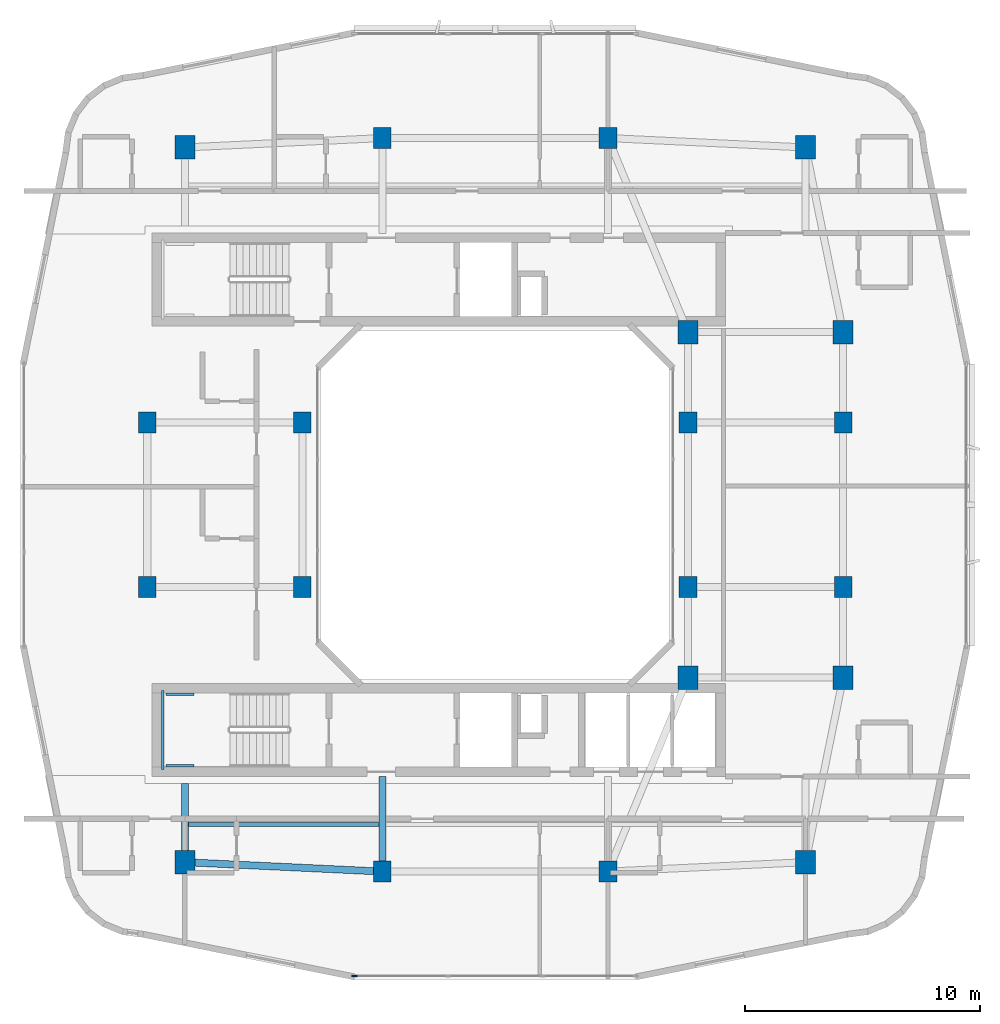
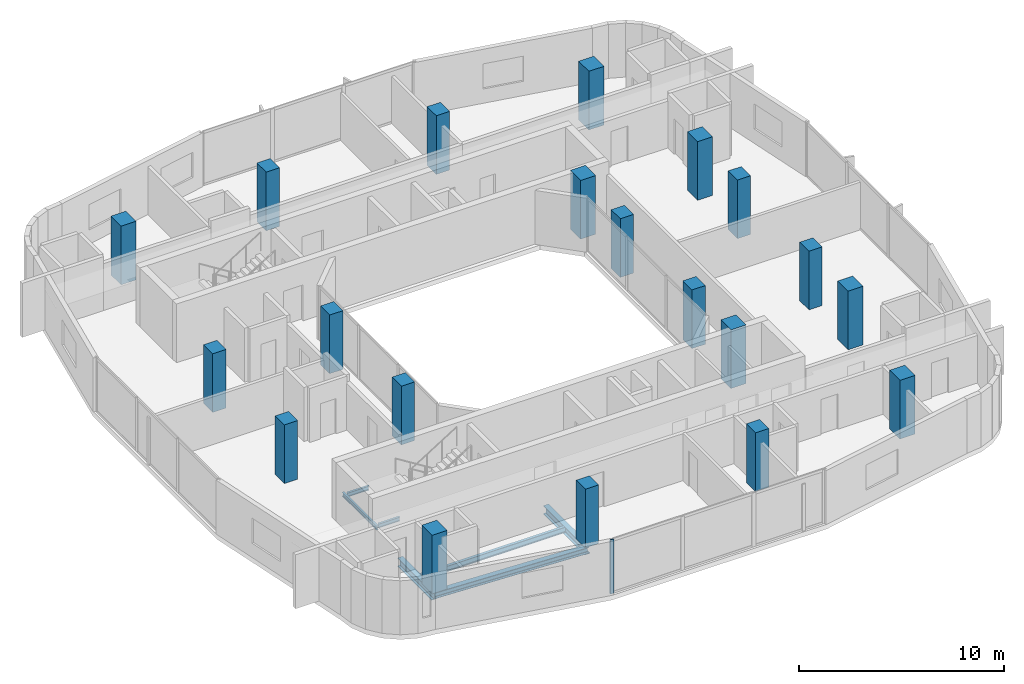
# One storey, part 1 of 14: 20 columns, 7 beams, 1 member, 1 element without a shape of its own.
"""IFC4 building model written with IfcOpenShell, lengths in metres."""

from ifc_helpers import new_model, si_unit, derived_unit, direction, frame, origin, origin_2d, place, context, subcontext, project, spatial, rectangle, i_section, extrude, material, layer, layer_set, material_profile, profile_set, type_object, element, aggregate, save


model = new_model("IFC4")

# Units and contexts
model_context = context("Model", 3, precision=1e-05, world=origin(), true_north=direction((0.0, 1.0)))
body_context = subcontext(model_context, "Body", "Model", "MODEL_VIEW")
ifc_project = project(units=[si_unit("LENGTHUNIT", "METRE"), si_unit("AREAUNIT", "SQUARE_METRE"), si_unit("VOLUMEUNIT", "CUBIC_METRE"), si_unit("PLANEANGLEUNIT", "RADIAN"), si_unit("MASSUNIT", "GRAM", prefix="KILO"), derived_unit("THERMALTRANSMITTANCEUNIT", [(si_unit("POWERUNIT", "WATT"), 1), (si_unit("LENGTHUNIT", "METRE"), -2), (si_unit("THERMODYNAMICTEMPERATUREUNIT", "KELVIN"), -1)])], contexts=[model_context])

# Site, building, storey
site_placement = place(None, origin())
site = spatial("IfcSite", under=ifc_project, at=site_placement, CompositionType="ELEMENT")
building_placement = place(site_placement, origin())
building = spatial("IfcBuilding", under=site, at=building_placement, Name="Kivonza Crest Hotel", CompositionType="ELEMENT")
storey_placement = place(building_placement, frame((0.0, 0.0, 141.5)))
storey = spatial("IfcBuildingStorey", under=building, at=storey_placement, Name="L38", CompositionType="ELEMENT", Elevation=141.5)

# Columns
ifc_material_1 = material(Name="Concrete C50/60", Category="concrete")
ifc_material_profile_1 = material_profile(ifc_material_1, rectangle(XDim=0.85009765625, YDim=1.0, at=origin_2d()), Name="RC 1000x850")
ifc_profile_set_1 = profile_set([ifc_material_profile_1], Name="Concrete C50/60")
column_type_1 = type_object("IfcColumnType", Name="CL-RC-1000x850", PredefinedType="COLUMN", material=ifc_profile_set_1)
for number, where, z_axis, x_axis, name in (
    (1, (7.800048828125, 9.800048828125, 0.0), (0.0, 0.0, 1.0), (1.0, 0.0, 0.0), "Tower T1 L38 column SW"),
    (2, (34.199951171875, 9.800048828125, 0.0), (0.0, 0.0, 1.0), (1.0, 0.0, 0.0), "Tower T1 L38 column SE"),
    (3, (34.199951171875, 40.199951171875, 0.0), (0.0, 0.0, 1.0), (1.0, 0.0, 0.0), "Tower T1 L38 column NE"),
    (4, (7.800048828125, 40.199951171875, 0.0), (0.0, 0.0, 1.0), (1.0, 0.0, 0.0), "Tower T1 L38 column NW"),
    (5, (35.800048828125, 17.64990234375, 0.0), (0.0, 0.0, 1.0), (1.0, 0.0, 0.0), "Tower T1 L38 column PSE"),
    (6, (35.800048828125, 32.35009765625, 0.0), (0.0, 0.0, 1.0), (1.0, 0.0, 0.0), "Tower T1 L38 column PNE"),
    (7, (29.199951171875, 17.64990234375, 0.0), (0.0, 0.0, 1.0), (1.0, 0.0, 0.0), "Tower T1 L38 column TSE"),
    (8, (29.199951171875, 32.35009765625, 0.0), (0.0, 0.0, 1.0), (1.0, 0.0, 0.0), "Tower T1 L38 column TNE"),
):
    element("IfcColumn", number, at=place(storey_placement, frame(where, z_axis=z_axis, x_axis=x_axis)), inside=storey, type_object=column_type_1, Name=name, PredefinedType="COLUMN", context=body_context, shape_type="SweptSolid", body=[
        extrude(rectangle(XDim=0.85009765625, YDim=1.0, at=origin_2d()), origin(), (0.0, 0.0, 1.0), 3.5),
    ])
ifc_material_profile_2 = material_profile(ifc_material_1, rectangle(XDim=0.75, YDim=0.89990234375, at=origin_2d()), Name="RC 900x750")
ifc_profile_set_2 = profile_set([ifc_material_profile_2], Name="Concrete C50/60")
column_type_2 = type_object("IfcColumnType", Name="CL-RC-900x750", PredefinedType="COLUMN", material=ifc_profile_set_2)
for number, where, z_axis, x_axis, name in (
    (9, (16.199951171875, 9.39990234375, 0.0), (0.0, 0.0, 1.0), (1.0, 0.0, 0.0), "Tower T1 L38 column S1"),
    (10, (25.800048828125, 9.39990234375, 0.0), (0.0, 0.0, 1.0), (1.0, 0.0, 0.0), "Tower T1 L38 column S2"),
    (11, (16.199951171875, 40.60009765625, 0.0), (0.0, 0.0, 1.0), (1.0, 0.0, 0.0), "Tower T1 L38 column N1"),
    (12, (25.800048828125, 40.60009765625, 0.0), (0.0, 0.0, 1.0), (1.0, 0.0, 0.0), "Tower T1 L38 column N2"),
    (13, (6.199951171875, 21.5, 0.0), (0.0, 0.0, 1.0), (1.0, 0.0, 0.0), "Tower T1 L38 column W1"),
    (14, (6.199951171875, 28.5, 0.0), (0.0, 0.0, 1.0), (1.0, 0.0, 0.0), "Tower T1 L38 column W2"),
    (15, (35.800048828125, 21.5, 0.0), (0.0, 0.0, 1.0), (1.0, 0.0, 0.0), "Tower T1 L38 column E1"),
    (16, (35.800048828125, 28.5, 0.0), (0.0, 0.0, 1.0), (1.0, 0.0, 0.0), "Tower T1 L38 column E2"),
    (17, (12.800048828125, 21.5, 0.0), (0.0, 0.0, 1.0), (1.0, 0.0, 0.0), "Tower T1 L38 column WL1"),
    (18, (12.800048828125, 28.5, 0.0), (0.0, 0.0, 1.0), (1.0, 0.0, 0.0), "Tower T1 L38 column WL2"),
    (19, (29.199951171875, 21.5, 0.0), (0.0, 0.0, 1.0), (1.0, 0.0, 0.0), "Tower T1 L38 column WR1"),
    (20, (29.199951171875, 28.5, 0.0), (0.0, 0.0, 1.0), (1.0, 0.0, 0.0), "Tower T1 L38 column WR2"),
):
    element("IfcColumn", number, at=place(storey_placement, frame(where, z_axis=z_axis, x_axis=x_axis)), inside=storey, type_object=column_type_2, Name=name, PredefinedType="COLUMN", context=body_context, shape_type="SweptSolid", body=[
        extrude(rectangle(XDim=0.75, YDim=0.89990234375, at=origin_2d()), origin(), (0.0, 0.0, 1.0), 3.5),
    ])

# Beams
ifc_material_2 = material(Name="Steel S355", Category="steel")
ifc_material_profile_3 = material_profile(ifc_material_2, i_section(OverallWidth=0.300048828125, OverallDepth=0.360107421875, WebThickness=0.012451171875, FlangeThickness=0.0224609375, FilletRadius=0.027099609375, at=origin_2d()), Name="HEB 360")
ifc_profile_set_3 = profile_set([ifc_material_profile_3], Name="Steel S355")
beam_type_1 = type_object("IfcBeamType", Name="BM-HEB360", PredefinedType="SPANDREL", material=ifc_profile_set_3)
beam_1_placement = place(storey_placement, frame((7.800048828125, 9.800048828125, -0.4599609375), z_axis=(0.998867283688, -0.047583080799, 0.0), x_axis=(0.047583080799, 0.998867283688, 0.0)))
element("IfcBeam", 21, at=beam_1_placement, inside=storey, type_object=beam_type_1, Name="Tower T1 L38 perimeter spandrel SW-S1", PredefinedType="SPANDREL", context=body_context, shape_type="SweptSolid", body=[
    extrude(i_section(OverallWidth=0.300048828125, OverallDepth=0.360107421875, WebThickness=0.012451171875, FlangeThickness=0.0224609375, FilletRadius=0.027099609375, at=origin_2d()), origin(), (0.0, 0.0, 1.0), 8.409423828125),
])
ifc_material_profile_4 = material_profile(ifc_material_2, i_section(OverallWidth=0.300048828125, OverallDepth=0.5, WebThickness=0.014404296875, FlangeThickness=0.028076171875, FilletRadius=0.027099609375, at=origin_2d()), Name="HEB 500")
ifc_profile_set_4 = profile_set([ifc_material_profile_4], Name="Steel S355")
beam_type_2 = type_object("IfcBeamType", Name="BM-HEB500", PredefinedType="BEAM", material=ifc_profile_set_4)
beam_2_placement = place(storey_placement, frame((7.800048828125, 9.800048828125, -0.530029296875), z_axis=(0.0, 1.0, 0.0), x_axis=(-1.0, 0.0, 0.0)))
element("IfcBeam", 22, at=beam_2_placement, inside=storey, type_object=beam_type_2, Name="Tower T1 L38 radial core girder RSW", PredefinedType="BEAM", context=body_context, shape_type="SweptSolid", body=[
    extrude(i_section(OverallWidth=0.300048828125, OverallDepth=0.5, WebThickness=0.014404296875, FlangeThickness=0.028076171875, FilletRadius=0.027099609375, at=origin_2d()), origin(), (0.0, 0.0, 1.0), 3.349853515625),
])
beam_3_placement = place(storey_placement, frame((16.199951171875, 9.39990234375, -0.530029296875), z_axis=(0.0, 1.0, 0.0), x_axis=(-1.0, 0.0, 0.0)))
element("IfcBeam", 23, at=beam_3_placement, inside=storey, type_object=beam_type_2, Name="Tower T1 L38 radial core girder RS1", PredefinedType="BEAM", context=body_context, shape_type="SweptSolid", body=[
    extrude(i_section(OverallWidth=0.300048828125, OverallDepth=0.5, WebThickness=0.014404296875, FlangeThickness=0.028076171875, FilletRadius=0.027099609375, at=origin_2d()), origin(), (0.0, 0.0, 1.0), 4.050048828125),
])
ifc_material_profile_5 = material_profile(ifc_material_2, i_section(OverallWidth=0.159912109375, OverallDepth=0.330078125, WebThickness=0.007568359375, FlangeThickness=0.011474609375, FilletRadius=0.01806640625, at=origin_2d()), Name="IPE 330")
ifc_profile_set_5 = profile_set([ifc_material_profile_5], Name="Steel S355")
beam_type_3 = type_object("IfcBeamType", Name="BM-IPE330", PredefinedType="JOIST", material=ifc_profile_set_5)
beam_4_placement = place(storey_placement, frame((7.8798828125, 11.39990234375, -0.445068359375), z_axis=(1.0, 0.0, 0.0), x_axis=(0.0, 1.0, 0.0)))
element("IfcBeam", 24, at=beam_4_placement, inside=storey, type_object=beam_type_3, Name="Tower T1 L38 South-West floor joist", PredefinedType="JOIST", context=body_context, shape_type="SweptSolid", body=[
    extrude(i_section(OverallWidth=0.159912109375, OverallDepth=0.330078125, WebThickness=0.007568359375, FlangeThickness=0.011474609375, FilletRadius=0.01806640625, at=origin_2d()), origin(), (0.0, 0.0, 1.0), 8.240234375),
])
ifc_material_profile_6 = material_profile(ifc_material_2, i_section(OverallWidth=0.1201171875, OverallDepth=0.239990234375, WebThickness=0.006103515625, FlangeThickness=0.009765625, FilletRadius=0.014892578125, at=origin_2d()), Name="IPE 240")
ifc_profile_set_6 = profile_set([ifc_material_profile_6], Name="Steel S355")
beam_type_4 = type_object("IfcBeamType", Name="BM-LLDG-240", PredefinedType="BEAM", material=ifc_profile_set_6)
beam_5_placement = place(storey_placement, frame((6.860107421875, 13.739990234375, 1.429931640625), z_axis=(0.0, 1.0, 0.0), x_axis=(-1.0, 0.0, 0.0)))
element("IfcBeam", 25, at=beam_5_placement, inside=storey, type_object=beam_type_4, Name="Stair ST-T1-S L38 West landing corbel", PredefinedType="BEAM", context=body_context, shape_type="SweptSolid", body=[
    extrude(i_section(OverallWidth=0.1201171875, OverallDepth=0.239990234375, WebThickness=0.006103515625, FlangeThickness=0.009765625, FilletRadius=0.014892578125, at=origin_2d()), origin(), (0.0, 0.0, 1.0), 3.360107421875),
])
for number, where, z_axis, x_axis, name in (
    (26, (6.989990234375, 13.89990234375, 1.429931640625), (1.0, 0.0, 0.0), (0.0, 1.0, 0.0), "Stair ST-T1-S L38 South landing corbel"),
    (27, (6.989990234375, 16.93994140625, 1.429931640625), (1.0, 0.0, 0.0), (0.0, 1.0, 0.0), "Stair ST-T1-S L38 North landing corbel"),
):
    element("IfcBeam", number, at=place(storey_placement, frame(where, z_axis=z_axis, x_axis=x_axis)), inside=storey, type_object=beam_type_4, Name=name, PredefinedType="BEAM", context=body_context, shape_type="SweptSolid", body=[
        extrude(i_section(OverallWidth=0.1201171875, OverallDepth=0.239990234375, WebThickness=0.006103515625, FlangeThickness=0.009765625, FilletRadius=0.014892578125, at=origin_2d()), origin(), (0.0, 0.0, 1.0), 1.2099609375),
    ])

# Curtain wall, member
ifc_material_3 = material(Name="Anodised bronze aluminium and low-E double glazing", Category="aluminium")
ifc_layer = layer(ifc_material_3, 0.179931640625)
ifc_layer_set = layer_set([ifc_layer], Name="Anodised bronze aluminium and low-E double glazing")
curtain_wall_type = type_object("IfcCurtainWallType", Name="CW-SYS-3", PredefinedType="NOTDEFINED", material=ifc_layer_set)
curtain_wall_placement = place(storey_placement, origin())
curtain_wall = element("IfcCurtainWall", 28, at=curtain_wall_placement, inside=storey, type_object=curtain_wall_type, Name="L38 unitised curtain wall CW-T1-L38-08", PredefinedType="NOTDEFINED")
ifc_material_4 = material(Name="Anodised bronze aluminium", Category="aluminium")
ifc_material_profile_7 = material_profile(ifc_material_4, rectangle(XDim=0.074951171875, YDim=0.219970703125, at=origin_2d()), Name="CW-M 75x220")
ifc_profile_set_7 = profile_set([ifc_material_profile_7], Name="Anodised bronze aluminium")
member_type = type_object("IfcMemberType", Name="CW-MUL-75x220", PredefinedType="MULLION", material=ifc_profile_set_7)
member_placement = place(storey_placement, frame((15.017578125, 4.9599609375, 0.0), z_axis=(0.0, 0.0, 1.0), x_axis=(0.0, 1.0, 0.0)))
member = element("IfcMember", 29, at=member_placement, type_object=member_type, Name="CW-3 mullion 1", PredefinedType="MULLION", context=body_context, shape_type="SweptSolid", body=[
    extrude(rectangle(XDim=0.074951171875, YDim=0.219970703125, at=origin_2d()), origin(), (0.0, 0.0, 1.0), 3.219970703125),
])
aggregate(curtain_wall, [member])

save(model, "model.ifc")
